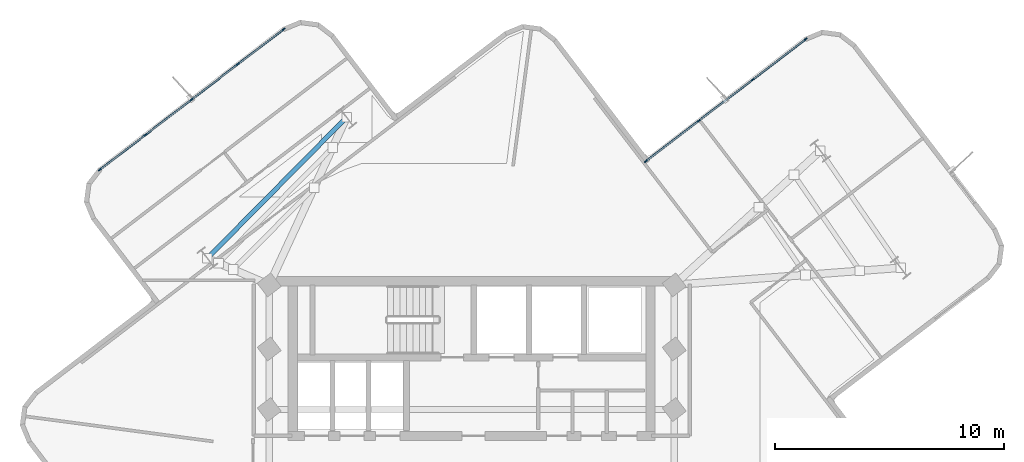
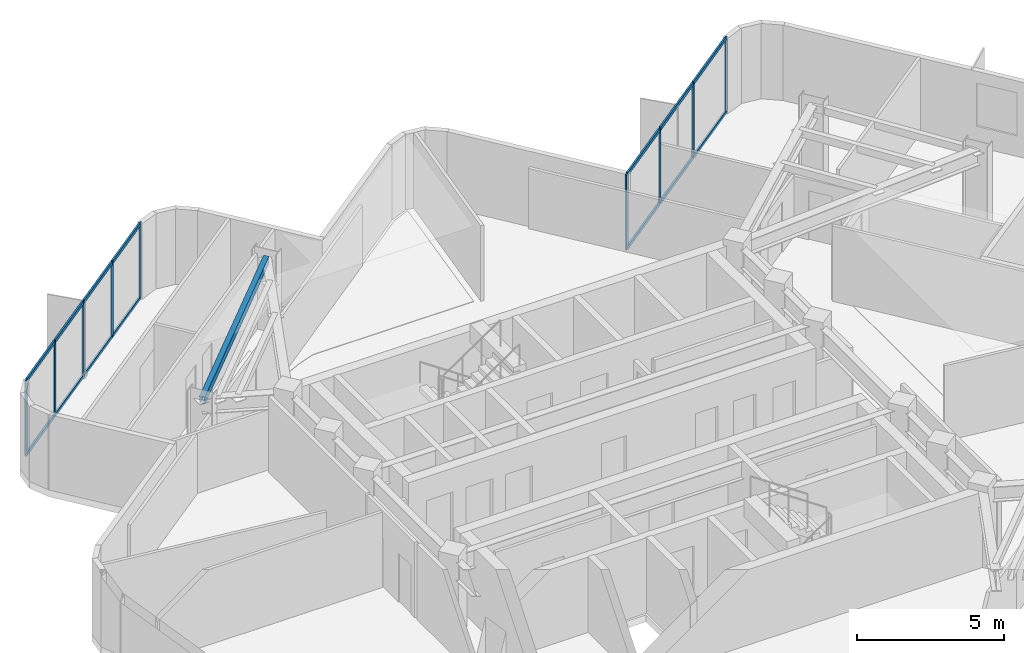
# One storey, part 2 of 8: 23 members, 1 beam, 2 elements without a shape of their own.
"""IFC4 building model written with IfcOpenShell, lengths in metres."""

from ifc_helpers import new_model, si_unit, direction, frame, origin, origin_2d, place, context, subcontext, project, spatial, rectangle, hollow_rectangle, extrude, material, layer, layer_set, material_profile, profile_set, type_object, element, aggregate, save


model = new_model("IFC4")

# Units and contexts
model_context = context("Model", 3, precision=1e-05, world=origin(), true_north=direction((0.0, 1.0)))
body_context = subcontext(model_context, "Body", "Model", "MODEL_VIEW")
ifc_project = project(units=[si_unit("LENGTHUNIT", "METRE"), si_unit("AREAUNIT", "SQUARE_METRE"), si_unit("VOLUMEUNIT", "CUBIC_METRE"), si_unit("PLANEANGLEUNIT", "RADIAN"), si_unit("MASSUNIT", "GRAM", prefix="KILO")], contexts=[model_context])

# Site, building, storey
site_placement = place(None, origin())
site = spatial("IfcSite", under=ifc_project, at=site_placement, CompositionType="ELEMENT")
building_placement = place(site_placement, origin())
building = spatial("IfcBuilding", under=site, at=building_placement, Name="Solmarez Civic Tower", CompositionType="ELEMENT")
storey_placement = place(building_placement, frame((0.0, 0.0, 232.56005859375)))
storey = spatial("IfcBuildingStorey", under=building, at=storey_placement, Name="L62", CompositionType="ELEMENT", Elevation=232.56005859375)

# Beam
ifc_material_1 = material(Name="Steel S355", Category="steel")
ifc_material_profile_1 = material_profile(ifc_material_1, hollow_rectangle(XDim=0.199951171875, YDim=0.300048828125, WallThickness=0.011962890625, at=origin_2d()), Name="HSS300X200X12")
ifc_profile_set_1 = profile_set([ifc_material_profile_1], Name="Steel S355")
beam_type = type_object("IfcBeamType", Name="BM-JS-HSS300X200", PredefinedType="JOIST", material=ifc_profile_set_1)
beam_placement = place(storey_placement, frame((-5.468017578125, 15.6708984375, 2.989990234375), z_axis=(-0.702766092364, -0.711420986072, 0.0), x_axis=(0.711420986072, -0.702766092364, 0.0)))
element("IfcBeam", 1, at=beam_placement, inside=storey, type_object=beam_type, Name="L62 Secondary Floor Joist BM-L62-NA-T1", PredefinedType="JOIST", context=body_context, shape_type="SweptSolid", body=[
    extrude(hollow_rectangle(XDim=0.199951171875, YDim=0.300048828125, WallThickness=0.011962890625, at=origin_2d()), origin(), (0.0, 0.0, 1.0), 8.659912109375),
])

# Curtain wall, members
ifc_material_2 = material(Name="Bronze Anodised Aluminium EN AW-6063 T6", Category="aluminium")
ifc_layer = layer(ifc_material_2, 0.1650390625)
ifc_layer_set = layer_set([ifc_layer], Name="Bronze Anodised Aluminium EN AW-6063 T6")
curtain_wall_type = type_object("IfcCurtainWallType", Name="CW-SYS-4", PredefinedType="NOTDEFINED", material=ifc_layer_set)
curtain_wall_1_placement = place(storey_placement, origin())
curtain_wall_1 = element("IfcCurtainWall", 2, at=curtain_wall_1_placement, inside=storey, type_object=curtain_wall_type, Name="L62 Stick-Built Curtain Wall 1", PredefinedType="NOTDEFINED")
ifc_material_profile_2 = material_profile(ifc_material_2, rectangle(XDim=0.06005859375, YDim=0.14990234375, at=origin_2d()), Name="CWM-60X150")
ifc_profile_set_2 = profile_set([ifc_material_profile_2], Name="Bronze Anodised Aluminium EN AW-6063 T6")
member_type_1 = type_object("IfcMemberType", Name="CWM-TYPE-4", PredefinedType="MULLION", material=ifc_profile_set_2)
member_1_placement = place(storey_placement, frame((-16.250244140625, 13.381103515625, 0.0), z_axis=(0.0, 0.0, 1.0), x_axis=(-0.607325938374, 0.794452770514, 0.0)))
member_1 = element("IfcMember", 3, at=member_1_placement, type_object=member_type_1, Name="CWS4 mullion 1", PredefinedType="MULLION", context=body_context, shape_type="SweptSolid", body=[
    extrude(rectangle(XDim=0.06005859375, YDim=0.14990234375, at=origin_2d()), origin(), (0.0, 0.0, 1.0), 3.139892578125),
])
member_2_placement = place(storey_placement, frame((-14.25537109375, 14.90625, 0.0), z_axis=(0.0, 0.0, 1.0), x_axis=(-0.607325938374, 0.794452770514, 0.0)))
member_2 = element("IfcMember", 4, at=member_2_placement, type_object=member_type_1, Name="CWS4 mullion 2", PredefinedType="MULLION", context=body_context, shape_type="SweptSolid", body=[
    extrude(rectangle(XDim=0.06005859375, YDim=0.14990234375, at=origin_2d()), origin(), (0.0, 0.0, 1.0), 3.139892578125),
])
member_3_placement = place(storey_placement, frame((-12.236572265625, 16.449462890625, 0.0), z_axis=(0.0, 0.0, 1.0), x_axis=(-0.607325938374, 0.794452770514, 0.0)))
member_3 = element("IfcMember", 5, at=member_3_placement, type_object=member_type_1, Name="CWS4 mullion 3", PredefinedType="MULLION", context=body_context, shape_type="SweptSolid", body=[
    extrude(rectangle(XDim=0.06005859375, YDim=0.14990234375, at=origin_2d()), origin(), (0.0, 0.0, 1.0), 3.139892578125),
])
member_4_placement = place(storey_placement, frame((-10.2177734375, 17.99267578125, 0.0), z_axis=(0.0, 0.0, 1.0), x_axis=(-0.607325938374, 0.794452770514, 0.0)))
member_4 = element("IfcMember", 6, at=member_4_placement, type_object=member_type_1, Name="CWS4 mullion 4", PredefinedType="MULLION", context=body_context, shape_type="SweptSolid", body=[
    extrude(rectangle(XDim=0.06005859375, YDim=0.14990234375, at=origin_2d()), origin(), (0.0, 0.0, 1.0), 3.139892578125),
])
member_5_placement = place(storey_placement, frame((-8.222900390625, 19.517822265625, 0.0), z_axis=(0.0, 0.0, 1.0), x_axis=(-0.607325938374, 0.794452770514, 0.0)))
member_5 = element("IfcMember", 7, at=member_5_placement, type_object=member_type_1, Name="CWS4 mullion 5", PredefinedType="MULLION", context=body_context, shape_type="SweptSolid", body=[
    extrude(rectangle(XDim=0.06005859375, YDim=0.14990234375, at=origin_2d()), origin(), (0.0, 0.0, 1.0), 3.139892578125),
])

curtain_wall_2_placement = place(storey_placement, origin())
curtain_wall_2 = element("IfcCurtainWall", 8, at=curtain_wall_2_placement, inside=storey, type_object=curtain_wall_type, Name="L62 Stick-Built Curtain Wall 2", PredefinedType="NOTDEFINED")
member_6_placement = place(storey_placement, frame((7.61279296875, 13.750244140625, 0.0), z_axis=(0.0, 0.0, 1.0), x_axis=(-0.607429118249, 0.794373883195, 0.0)))
member_6 = element("IfcMember", 9, at=member_6_placement, type_object=member_type_1, Name="CWS4 mullion 1", PredefinedType="MULLION", context=body_context, shape_type="SweptSolid", body=[
    extrude(rectangle(XDim=0.06005859375, YDim=0.14990234375, at=origin_2d()), origin(), (0.0, 0.0, 1.0), 3.139892578125),
])
member_7_placement = place(storey_placement, frame((9.930419921875, 15.522216796875, 0.0), z_axis=(0.0, 0.0, 1.0), x_axis=(-0.607429118249, 0.794373883195, 0.0)))
member_7 = element("IfcMember", 10, at=member_7_placement, type_object=member_type_1, Name="CWS4 mullion 2", PredefinedType="MULLION", context=body_context, shape_type="SweptSolid", body=[
    extrude(rectangle(XDim=0.06005859375, YDim=0.14990234375, at=origin_2d()), origin(), (0.0, 0.0, 1.0), 3.139892578125),
])
member_8_placement = place(storey_placement, frame((12.271728515625, 17.312744140625, 0.0), z_axis=(0.0, 0.0, 1.0), x_axis=(-0.607429118249, 0.794373883195, 0.0)))
member_8 = element("IfcMember", 11, at=member_8_placement, type_object=member_type_1, Name="CWS4 mullion 3", PredefinedType="MULLION", context=body_context, shape_type="SweptSolid", body=[
    extrude(rectangle(XDim=0.06005859375, YDim=0.14990234375, at=origin_2d()), origin(), (0.0, 0.0, 1.0), 3.139892578125),
])
member_9_placement = place(storey_placement, frame((14.589111328125, 19.084716796875, 0.0), z_axis=(0.0, 0.0, 1.0), x_axis=(-0.607429118249, 0.794373883195, 0.0)))
member_9 = element("IfcMember", 12, at=member_9_placement, type_object=member_type_1, Name="CWS4 mullion 4", PredefinedType="MULLION", context=body_context, shape_type="SweptSolid", body=[
    extrude(rectangle(XDim=0.06005859375, YDim=0.14990234375, at=origin_2d()), origin(), (0.0, 0.0, 1.0), 3.139892578125),
])

# Member
ifc_material_profile_3 = material_profile(ifc_material_2, rectangle(XDim=0.070068359375, YDim=0.139892578125, at=origin_2d()), Name="CWT-70X140")
ifc_profile_set_3 = profile_set([ifc_material_profile_3], Name="Bronze Anodised Aluminium EN AW-6063 T6")
member_type_2 = type_object("IfcMemberType", Name="CWT-TYPE-1", PredefinedType="USERDEFINED", material=ifc_profile_set_3)
member_10_placement = place(storey_placement, frame((-16.226318359375, 13.3994140625, 0.034912109375), z_axis=(0.794468083903, 0.607305906163, 0.0), x_axis=(-0.607305906163, 0.794468083903, 0.0)))
member_10 = element("IfcMember", 13, at=member_10_placement, type_object=member_type_2, Name="CWS4 transom 1.1", ObjectType="TRANSOM", PredefinedType="USERDEFINED", context=body_context, shape_type="SweptSolid", body=[
    extrude(rectangle(XDim=0.070068359375, YDim=0.139892578125, at=origin_2d()), origin(), (0.0, 0.0, 1.0), 2.450927734375),
])

member_11_placement = place(storey_placement, frame((-16.226318359375, 13.3994140625, 3.10498046875), z_axis=(0.794468083903, 0.607305906163, 0.0), x_axis=(-0.607305906163, 0.794468083903, 0.0)))
member_11 = element("IfcMember", 14, at=member_11_placement, type_object=member_type_2, Name="CWS4 transom 1.2", ObjectType="TRANSOM", PredefinedType="USERDEFINED", context=body_context, shape_type="SweptSolid", body=[
    extrude(rectangle(XDim=0.070068359375, YDim=0.139892578125, at=origin_2d()), origin(), (0.0, 0.0, 1.0), 2.450927734375),
])

member_12_placement = place(storey_placement, frame((-14.2314453125, 14.924560546875, 0.034912109375), z_axis=(0.794463952993, 0.607311310116, 0.0), x_axis=(-0.607311310116, 0.794463952993, 0.0)))
member_12 = element("IfcMember", 15, at=member_12_placement, type_object=member_type_2, Name="CWS4 transom 2.1", ObjectType="TRANSOM", PredefinedType="USERDEFINED", context=body_context, shape_type="SweptSolid", body=[
    extrude(rectangle(XDim=0.070068359375, YDim=0.139892578125, at=origin_2d()), origin(), (0.0, 0.0, 1.0), 2.481201171875),
])

member_13_placement = place(storey_placement, frame((-14.2314453125, 14.924560546875, 3.10498046875), z_axis=(0.794463952993, 0.607311310116, 0.0), x_axis=(-0.607311310116, 0.794463952993, 0.0)))
member_13 = element("IfcMember", 16, at=member_13_placement, type_object=member_type_2, Name="CWS4 transom 2.2", ObjectType="TRANSOM", PredefinedType="USERDEFINED", context=body_context, shape_type="SweptSolid", body=[
    extrude(rectangle(XDim=0.070068359375, YDim=0.139892578125, at=origin_2d()), origin(), (0.0, 0.0, 1.0), 2.481201171875),
])

member_14_placement = place(storey_placement, frame((-12.212646484375, 16.4677734375, 0.034912109375), z_axis=(0.794427656964, 0.607358788403, 0.0), x_axis=(-0.607358788403, 0.794427656964, 0.0)))
member_14 = element("IfcMember", 17, at=member_14_placement, type_object=member_type_2, Name="CWS4 transom 3.1", ObjectType="TRANSOM", PredefinedType="USERDEFINED", context=body_context, shape_type="SweptSolid", body=[
    extrude(rectangle(XDim=0.070068359375, YDim=0.139892578125, at=origin_2d()), origin(), (0.0, 0.0, 1.0), 2.48095703125),
])

member_15_placement = place(storey_placement, frame((-12.212646484375, 16.4677734375, 3.10498046875), z_axis=(0.794427656964, 0.607358788403, 0.0), x_axis=(-0.607358788403, 0.794427656964, 0.0)))
member_15 = element("IfcMember", 18, at=member_15_placement, type_object=member_type_2, Name="CWS4 transom 3.2", ObjectType="TRANSOM", PredefinedType="USERDEFINED", context=body_context, shape_type="SweptSolid", body=[
    extrude(rectangle(XDim=0.070068359375, YDim=0.139892578125, at=origin_2d()), origin(), (0.0, 0.0, 1.0), 2.48095703125),
])

member_16_placement = place(storey_placement, frame((-10.19384765625, 18.010986328125, 0.034912109375), z_axis=(0.794468083903, 0.607305906163, 0.0), x_axis=(-0.607305906163, 0.794468083903, 0.0)))
member_16 = element("IfcMember", 19, at=member_16_placement, type_object=member_type_2, Name="CWS4 transom 4.1", ObjectType="TRANSOM", PredefinedType="USERDEFINED", context=body_context, shape_type="SweptSolid", body=[
    extrude(rectangle(XDim=0.070068359375, YDim=0.139892578125, at=origin_2d()), origin(), (0.0, 0.0, 1.0), 2.450927734375),
])

member_17_placement = place(storey_placement, frame((-10.19384765625, 18.010986328125, 3.10498046875), z_axis=(0.794468083903, 0.607305906163, 0.0), x_axis=(-0.607305906163, 0.794468083903, 0.0)))
member_17 = element("IfcMember", 20, at=member_17_placement, type_object=member_type_2, Name="CWS4 transom 4.2", ObjectType="TRANSOM", PredefinedType="USERDEFINED", context=body_context, shape_type="SweptSolid", body=[
    extrude(rectangle(XDim=0.070068359375, YDim=0.139892578125, at=origin_2d()), origin(), (0.0, 0.0, 1.0), 2.450927734375),
])

aggregate(curtain_wall_1, [member_1, member_2, member_3, member_4, member_5, member_10, member_11, member_12, member_13, member_14, member_15, member_16, member_17])

member_18_placement = place(storey_placement, frame((7.63671875, 13.7685546875, 0.034912109375), z_axis=(0.79437723481, 0.607424735104, 0.0), x_axis=(-0.607424735104, 0.79437723481, 0.0)))
member_18 = element("IfcMember", 21, at=member_18_placement, type_object=member_type_2, Name="CWS4 transom 1.1", ObjectType="TRANSOM", PredefinedType="USERDEFINED", context=body_context, shape_type="SweptSolid", body=[
    extrude(rectangle(XDim=0.070068359375, YDim=0.139892578125, at=origin_2d()), origin(), (0.0, 0.0, 1.0), 2.857421875),
])

member_19_placement = place(storey_placement, frame((7.63671875, 13.7685546875, 3.10498046875), z_axis=(0.79437723481, 0.607424735104, 0.0), x_axis=(-0.607424735104, 0.79437723481, 0.0)))
member_19 = element("IfcMember", 22, at=member_19_placement, type_object=member_type_2, Name="CWS4 transom 1.2", ObjectType="TRANSOM", PredefinedType="USERDEFINED", context=body_context, shape_type="SweptSolid", body=[
    extrude(rectangle(XDim=0.070068359375, YDim=0.139892578125, at=origin_2d()), origin(), (0.0, 0.0, 1.0), 2.857421875),
])

member_20_placement = place(storey_placement, frame((9.9541015625, 15.54052734375, 0.034912109375), z_axis=(0.794374632488, 0.60742813835, 0.0), x_axis=(-0.60742813835, 0.794374632488, 0.0)))
member_20 = element("IfcMember", 23, at=member_20_placement, type_object=member_type_2, Name="CWS4 transom 2.1", ObjectType="TRANSOM", PredefinedType="USERDEFINED", context=body_context, shape_type="SweptSolid", body=[
    extrude(rectangle(XDim=0.070068359375, YDim=0.139892578125, at=origin_2d()), origin(), (0.0, 0.0, 1.0), 2.887451171875),
])

member_21_placement = place(storey_placement, frame((9.9541015625, 15.54052734375, 3.10498046875), z_axis=(0.794374632488, 0.60742813835, 0.0), x_axis=(-0.60742813835, 0.794374632488, 0.0)))
member_21 = element("IfcMember", 24, at=member_21_placement, type_object=member_type_2, Name="CWS4 transom 2.2", ObjectType="TRANSOM", PredefinedType="USERDEFINED", context=body_context, shape_type="SweptSolid", body=[
    extrude(rectangle(XDim=0.070068359375, YDim=0.139892578125, at=origin_2d()), origin(), (0.0, 0.0, 1.0), 2.887451171875),
])

member_22_placement = place(storey_placement, frame((12.29541015625, 17.330810546875, 0.034912109375), z_axis=(0.794367532833, 0.607437422934, 0.0), x_axis=(-0.607437422934, 0.794367532833, 0.0)))
member_22 = element("IfcMember", 25, at=member_22_placement, type_object=member_type_2, Name="CWS4 transom 3.1", ObjectType="TRANSOM", PredefinedType="USERDEFINED", context=body_context, shape_type="SweptSolid", body=[
    extrude(rectangle(XDim=0.070068359375, YDim=0.139892578125, at=origin_2d()), origin(), (0.0, 0.0, 1.0), 2.857666015625),
])

member_23_placement = place(storey_placement, frame((12.29541015625, 17.330810546875, 3.10498046875), z_axis=(0.794367532833, 0.607437422934, 0.0), x_axis=(-0.607437422934, 0.794367532833, 0.0)))
member_23 = element("IfcMember", 26, at=member_23_placement, type_object=member_type_2, Name="CWS4 transom 3.2", ObjectType="TRANSOM", PredefinedType="USERDEFINED", context=body_context, shape_type="SweptSolid", body=[
    extrude(rectangle(XDim=0.070068359375, YDim=0.139892578125, at=origin_2d()), origin(), (0.0, 0.0, 1.0), 2.857666015625),
])

aggregate(curtain_wall_2, [member_6, member_7, member_8, member_9, member_18, member_19, member_20, member_21, member_22, member_23])

save(model, "model.ifc")
